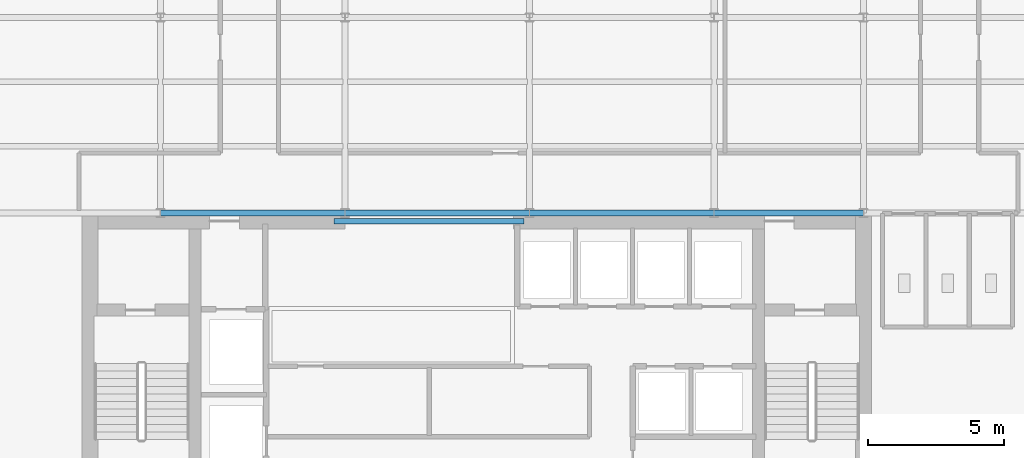
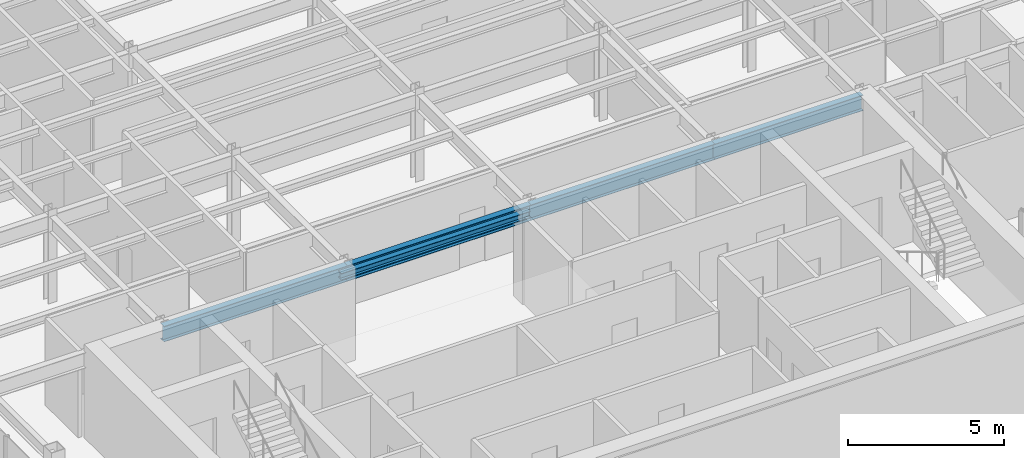
# One storey, part 4 of 22: 5 beams.
"""IFC4 building model written with IfcOpenShell, lengths in metres."""

from ifc_helpers import new_model, si_unit, derived_unit, direction, frame, origin, origin_2d, place, context, subcontext, project, spatial, i_section, extrude, source, transform, mapped, material, material_profile, profile_set, type_object, element, save


model = new_model("IFC4")

# Units and contexts
model_context = context("Model", 3, precision=1e-05, world=origin(), true_north=direction((0.0, 1.0)))
body_context = subcontext(model_context, "Body", "Model", "MODEL_VIEW")
ifc_project = project(units=[si_unit("LENGTHUNIT", "METRE"), si_unit("AREAUNIT", "SQUARE_METRE"), si_unit("VOLUMEUNIT", "CUBIC_METRE"), si_unit("PLANEANGLEUNIT", "RADIAN"), si_unit("MASSUNIT", "GRAM", prefix="KILO"), derived_unit("THERMALTRANSMITTANCEUNIT", [(si_unit("POWERUNIT", "WATT"), 1), (si_unit("LENGTHUNIT", "METRE"), -2), (si_unit("THERMODYNAMICTEMPERATUREUNIT", "KELVIN"), -1)])], contexts=[model_context])

# Site, building, storey
site_placement = place(None, origin())
site = spatial("IfcSite", under=ifc_project, at=site_placement, CompositionType="ELEMENT")
building_placement = place(site_placement, origin())
building = spatial("IfcBuilding", under=site, at=building_placement, Name="Skarnbrae Concourse Arena and Tower", CompositionType="ELEMENT")
storey_placement = place(building_placement, frame((0.0, 0.0, 266.10009765625)))
storey = spatial("IfcBuildingStorey", under=building, at=storey_placement, Name="L69", CompositionType="ELEMENT", Elevation=266.10009765625)

# Beams
ifc_material = material(Name="Steel CSA G40.21 350W", Category="steel")
ifc_material_profile_1 = material_profile(ifc_material, i_section(OverallWidth=0.202880859375, OverallDepth=0.251953125, WebThickness=0.008056640625, FlangeThickness=0.013427734375, at=origin_2d()), Name="W250X58")
ifc_profile_set_1 = profile_set([ifc_material_profile_1], Name="Steel CSA G40.21 350W")
beam_type_1 = type_object("IfcBeamType", Name="BM-LINTEL-W250X58", PredefinedType="LINTEL", material=ifc_profile_set_1)
shared_shape_1 = source(origin(), body_context, "Body", "SweptSolid", [
    extrude(i_section(OverallWidth=0.202880859375, OverallDepth=0.251953125, WebThickness=0.008056640625, FlangeThickness=0.013427734375, at=origin_2d()), origin(), (0.0, 0.0, 1.0), 7.0),
])
beam_1_placement = place(storey_placement, frame((14.0, 13.699951171875, 3.27392578125), z_axis=(1.0, 0.0, 0.0), x_axis=(0.0, 1.0, 0.0)))
element("IfcBeam", 1, at=beam_1_placement, inside=storey, type_object=beam_type_1, Name="L69 Core portal coupling lintel", PredefinedType="LINTEL", context=body_context, shape_type="MappedRepresentation", body=[
    mapped(shared_shape_1, transform((0.0, 0.0, 0.0))),
])
ifc_material_profile_2 = material_profile(ifc_material, i_section(OverallWidth=0.22802734375, OverallDepth=0.60791015625, WebThickness=0.01123046875, FlangeThickness=0.017333984375, at=origin_2d()), Name="W610X113")
ifc_profile_set_2 = profile_set([ifc_material_profile_2], Name="Steel CSA G40.21 350W")
beam_type_2 = type_object("IfcBeamType", Name="BM-GIRD-W610X113", PredefinedType="BEAM", material=ifc_profile_set_2)
shared_shape_2 = source(origin(), body_context, "Body", "SweptSolid", [
    extrude(i_section(OverallWidth=0.22802734375, OverallDepth=0.60791015625, WebThickness=0.01123046875, FlangeThickness=0.017333984375, at=origin_2d()), origin(), (0.0, 0.0, 1.0), 6.7998046875),
])
beam_2_placement = place(storey_placement, frame((7.60009765625, 14.0, 3.095947265625), z_axis=(1.0, 0.0, 0.0), x_axis=(0.0, 1.0, 0.0)))
element("IfcBeam", 2, at=beam_2_placement, inside=storey, type_object=beam_type_2, Name="L69 Primary E-W girder Y14.0-2", PredefinedType="BEAM", context=body_context, shape_type="MappedRepresentation", body=[
    mapped(shared_shape_2, transform((0.0, 0.0, 0.0))),
])
shared_shape_3 = source(origin(), body_context, "Body", "SweptSolid", [
    extrude(i_section(OverallWidth=0.22802734375, OverallDepth=0.60791015625, WebThickness=0.01123046875, FlangeThickness=0.017333984375, at=origin_2d()), origin(), (0.0, 0.0, 1.0), 6.800048828125),
])
for number, where, z_axis, x_axis, name in (
    (3, (14.39990234375, 14.0, 3.095947265625), (1.0, 0.0, 0.0), (0.0, 1.0, 0.0), "L69 Primary E-W girder Y14.0-3"),
    (4, (21.199951171875, 14.0, 3.095947265625), (1.0, 0.0, 0.0), (0.0, 1.0, 0.0), "L69 Primary E-W girder Y14.0-4"),
):
    element("IfcBeam", number, at=place(storey_placement, frame(where, z_axis=z_axis, x_axis=x_axis)), inside=storey, type_object=beam_type_2, Name=name, PredefinedType="BEAM", context=body_context, shape_type="MappedRepresentation", body=[
        mapped(shared_shape_3, transform((0.0, 0.0, 0.0))),
    ])
shared_shape_4 = source(origin(), body_context, "Body", "SweptSolid", [
    extrude(i_section(OverallWidth=0.22802734375, OverallDepth=0.60791015625, WebThickness=0.01123046875, FlangeThickness=0.017333984375, at=origin_2d()), origin(), (0.0, 0.0, 1.0), 5.5),
])
beam_3_placement = place(storey_placement, frame((28.0, 14.0, 3.095947265625), z_axis=(1.0, 0.0, 0.0), x_axis=(0.0, 1.0, 0.0)))
element("IfcBeam", 5, at=beam_3_placement, inside=storey, type_object=beam_type_2, Name="L69 Primary E-W girder Y14.0-5", PredefinedType="BEAM", context=body_context, shape_type="MappedRepresentation", body=[
    mapped(shared_shape_4, transform((0.0, 0.0, 0.0))),
])

save(model, "model.ifc")
